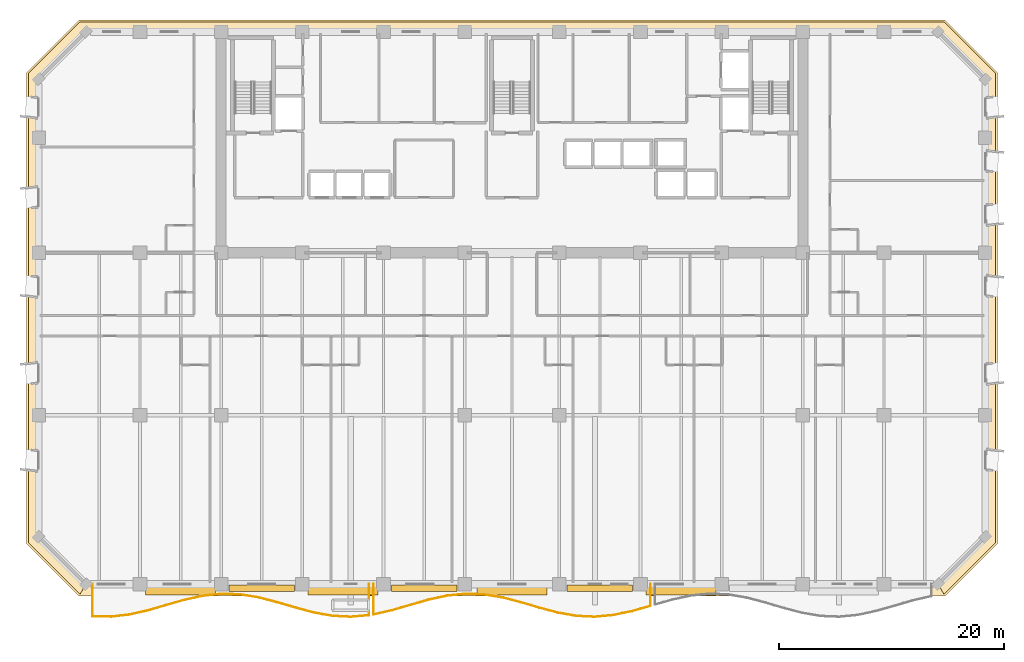
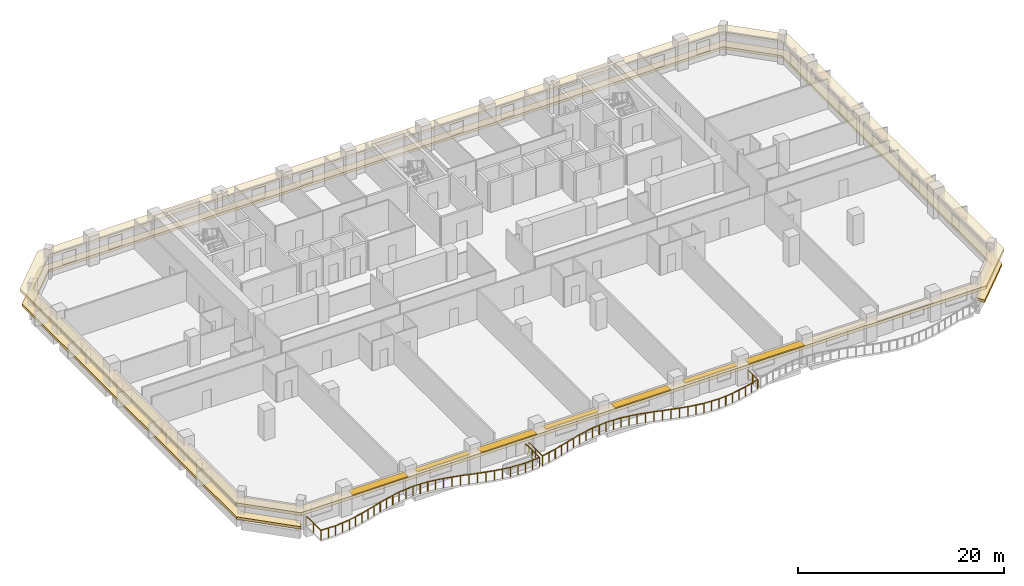
# One storey, part 12 of 15: 7 shading devices, 2 coverings, 2 railings.
"""IFC4 building model written with IfcOpenShell, lengths in metres."""

from ifc_helpers import new_model, si_unit, direction, frame, origin, origin_2d, place, context, subcontext, project, spatial, polyline, rectangle, outline, extrude, material, layer, layer_set, type_object, element, save


model = new_model("IFC4")

# Units and contexts
model_context = context("Model", 3, precision=1e-05, world=origin(), true_north=direction((0.0, 1.0)))
body_context = subcontext(model_context, "Body", "Model", "MODEL_VIEW")
ifc_project = project(units=[si_unit("LENGTHUNIT", "METRE"), si_unit("AREAUNIT", "SQUARE_METRE"), si_unit("VOLUMEUNIT", "CUBIC_METRE"), si_unit("PLANEANGLEUNIT", "RADIAN"), si_unit("MASSUNIT", "GRAM", prefix="KILO")], contexts=[model_context])

# Site, building, storey
site_placement = place(None, origin())
site = spatial("IfcSite", under=ifc_project, at=site_placement, CompositionType="ELEMENT")
building_placement = place(site_placement, origin())
building = spatial("IfcBuilding", under=site, at=building_placement, Name="Kaelvorn Grand Hotel", CompositionType="ELEMENT")
storey_placement = place(building_placement, frame((0.0, 0.0, 104.300048828125)))
storey = spatial("IfcBuildingStorey", under=building, at=storey_placement, Name="L24", CompositionType="ELEMENT", Elevation=104.300048828125)

# Coverings
ifc_material_1 = material(Name="Precast concrete C45/55", Category="concrete")
ifc_layer_1 = layer(ifc_material_1, 0.260009765625)
ifc_layer_set_1 = layer_set([ifc_layer_1], Name="Precast concrete C45/55")
covering_type_1 = type_object("IfcCoveringType", Name="COV-BAND-STREAMLINE-HEAD", PredefinedType="CLADDING", material=ifc_layer_set_1)
covering_1_placement = place(storey_placement, frame((0.0, 0.0, 2.179931640625)))
element("IfcCovering", 1, at=covering_1_placement, inside=storey, type_object=covering_type_1, Name="L24 Streamline Moderne Wraparound Horizontal Eyebrow Band", PredefinedType="CLADDING", context=body_context, shape_type="SweptSolid", body=[
    extrude(outline(polyline([(3.590087890625, -1.050048828125), (80.409912109375, -1.050048828125), (85.050048828125, 3.590087890625), (85.050048828125, 45.409912109375), (80.409912109375, 50.050048828125), (3.590087890625, 50.050048828125), (-1.050048828125, 45.409912109375), (-1.050048828125, 3.590087890625), (3.590087890625, -1.050048828125)]), holes=[polyline([(4.219970703125, 0.030029296875), (79.780029296875, 0.030029296875), (83.969970703125, 4.219970703125), (83.969970703125, 44.780029296875), (79.780029296875, 48.969970703125), (4.219970703125, 48.969970703125), (0.030029296875, 44.780029296875), (0.030029296875, 4.219970703125), (4.219970703125, 0.030029296875)])]), origin(), (0.0, 0.0, 1.0), 0.360107421875),
])
ifc_layer_2 = layer(ifc_material_1, 0.219970703125)
ifc_layer_set_2 = layer_set([ifc_layer_2], Name="Precast concrete C45/55")
covering_type_2 = type_object("IfcCoveringType", Name="COV-BAND-STREAMLINE-SILL", PredefinedType="CLADDING", material=ifc_layer_set_2)
covering_2_placement = place(storey_placement, frame((0.0, 0.0, 0.449951171875)))
element("IfcCovering", 2, at=covering_2_placement, inside=storey, type_object=covering_type_2, Name="L24 Streamline Moderne Wraparound Horizontal Sill Spandrel Band", PredefinedType="CLADDING", context=body_context, shape_type="SweptSolid", body=[
    extrude(outline(polyline([(80.3154296875, -0.8798828125), (84.8798828125, 3.6845703125), (84.8798828125, 45.3154296875), (80.3154296875, 49.8798828125), (3.6845703125, 49.8798828125), (-0.8798828125, 45.3154296875), (-0.8798828125, 3.6845703125), (3.6845703125, -0.8798828125), (4.217529296875, 0.030029296875), (0.030029296875, 4.217529296875), (0.030029296875, 44.782470703125), (4.217529296875, 48.969970703125), (79.782470703125, 48.969970703125), (83.969970703125, 44.782470703125), (83.969970703125, 4.217529296875), (79.782470703125, 0.030029296875), (80.3154296875, -0.8798828125)])), origin(), (0.0, 0.0, 1.0), 0.300048828125),
])

# Railings
ifc_material_2 = material(Name="Stainless Steel", Category="steel")
railing_type = type_object("IfcRailingType", Name="RL-BALC-1150", PredefinedType="BALUSTRADE", material=ifc_material_2)
railing_1_placement = place(storey_placement, frame((4.800048828125, 0.0, 0.0)))
element("IfcRailing", 3, at=railing_1_placement, inside=storey, type_object=railing_type, Name="L24 Scalloped Wave Balcony Balustrade GR1-1", PredefinedType="BALUSTRADE", context=body_context, shape_type="SweptSolid", body=[
    extrude(rectangle(XDim=0.048095703125, YDim=0.048095703125, at=origin_2d()), frame((0.0, 0.0, 1.1259765625), z_axis=(0.0, -1.0, 0.0), x_axis=(1.0, 0.0, 0.0)), (0.0, 0.0, 1.0), 2.849853515625),
    extrude(rectangle(XDim=0.048095703125, YDim=0.048095703125, at=origin_2d()), frame((0.0, -2.849853515625, 1.1259765625), z_axis=(0.999746055688, -0.022534953636, 0.0), x_axis=(0.022534953636, 0.999746055688, 0.0)), (0.0, 0.0, 1.0), 1.635986328125),
    extrude(rectangle(XDim=0.048095703125, YDim=0.048095703125, at=origin_2d()), frame((1.635498046875, -2.88671875, 1.1259765625), z_axis=(0.993458851833, 0.114190672624, 0.0), x_axis=(-0.114190672624, 0.993458851833, 0.0)), (0.0, 0.0, 1.0), 1.646240234375),
    extrude(rectangle(XDim=0.048095703125, YDim=0.048095703125, at=origin_2d()), frame((3.27099609375, -2.69873046875, 1.1259765625), z_axis=(0.975249967804, 0.221105179268, 0.0), x_axis=(-0.221105179268, 0.975249967804, 0.0)), (0.0, 0.0, 1.0), 1.67724609375),
    extrude(rectangle(XDim=0.048095703125, YDim=0.048095703125, at=origin_2d()), frame((4.90673828125, -2.327880859375, 1.1259765625), z_axis=(0.960877196389, 0.276974752385, 0.0), x_axis=(-0.276974752385, 0.960877196389, 0.0)), (0.0, 0.0, 1.0), 1.7021484375),
    extrude(rectangle(XDim=0.048095703125, YDim=0.048095703125, at=origin_2d()), frame((6.542236328125, -1.8564453125, 1.1259765625), z_axis=(0.961523947641, 0.274721127897, 0.0), x_axis=(-0.274721127897, 0.961523947641, 0.0)), (0.0, 0.0, 1.0), 1.700927734375),
    extrude(rectangle(XDim=0.048095703125, YDim=0.048095703125, at=origin_2d()), frame((8.177734375, -1.38916015625, 1.1259765625), z_axis=(0.976698893924, 0.21461423673, 0.0), x_axis=(-0.21461423673, 0.976698893924, 0.0)), (0.0, 0.0, 1.0), 1.674560546875),
    extrude(rectangle(XDim=0.048095703125, YDim=0.048095703125, at=origin_2d()), frame((9.813232421875, -1.02978515625, 1.1259765625), z_axis=(0.994538755279, 0.104367927297, 0.0), x_axis=(-0.104367927297, 0.994538755279, 0.0)), (0.0, 0.0, 1.0), 1.64453125),
    extrude(rectangle(XDim=0.048095703125, YDim=0.048095703125, at=origin_2d()), frame((11.44873046875, -0.858154296875, 1.1259765625), z_axis=(0.999451509735, -0.033116154502, 0.0), x_axis=(0.033116154502, 0.999451509735, 0.0)), (0.0, 0.0, 1.0), 1.63671875),
    extrude(rectangle(XDim=0.048095703125, YDim=0.048095703125, at=origin_2d()), frame((13.08447265625, -0.912353515625, 1.1259765625), z_axis=(0.986832291042, -0.161746806324, 0.0), x_axis=(0.161746806324, 0.986832291042, 0.0)), (0.0, 0.0, 1.0), 1.6572265625),
    extrude(rectangle(XDim=0.048095703125, YDim=0.048095703125, at=origin_2d()), frame((14.719970703125, -1.180419921875, 1.1259765625), z_axis=(0.96823444274, -0.25004412389, 0.0), x_axis=(0.25004412389, 0.96823444274, 0.0)), (0.0, 0.0, 1.0), 1.689208984375),
    extrude(rectangle(XDim=0.048095703125, YDim=0.048095703125, at=origin_2d()), frame((16.35546875, -1.602783203125, 1.1259765625), z_axis=(0.959105197492, -0.283049854522, 0.0), x_axis=(0.283049854522, 0.959105197492, 0.0)), (0.0, 0.0, 1.0), 1.705322265625),
    extrude(rectangle(XDim=0.048095703125, YDim=0.048095703125, at=origin_2d()), frame((17.990966796875, -2.08544921875, 1.1259765625), z_axis=(0.966258871987, -0.257572887368, 0.0), x_axis=(0.257572887368, 0.966258871987, 0.0)), (0.0, 0.0, 1.0), 1.69287109375),
    extrude(rectangle(XDim=0.048095703125, YDim=0.048095703125, at=origin_2d()), frame((19.626708984375, -2.521484375, 1.1259765625), z_axis=(0.984383042767, -0.176039839563, 0.0), x_axis=(0.176039839563, 0.984383042767, 0.0)), (0.0, 0.0, 1.0), 1.661376953125),
    extrude(rectangle(XDim=0.048095703125, YDim=0.048095703125, at=origin_2d()), frame((21.26220703125, -2.81396484375, 1.1259765625), z_axis=(0.998684141863, -0.05128337734, 0.0), x_axis=(0.05128337734, 0.998684141863, 0.0)), (0.0, 0.0, 1.0), 1.6376953125),
    extrude(rectangle(XDim=0.048095703125, YDim=0.048095703125, at=origin_2d()), frame((22.897705078125, -2.89794921875, 1.1259765625), z_axis=(0.996182895251, 0.087290544785, 0.0), x_axis=(-0.087290544785, 0.996182895251, 0.0)), (0.0, 0.0, 1.0), 1.641845703125),
    extrude(rectangle(XDim=0.048095703125, YDim=0.048095703125, at=origin_2d()), frame((24.533203125, -2.754638671875, 1.1259765625), z_axis=(0.0, 1.0, 0.0), x_axis=(-1.0, 0.0, 0.0)), (0.0, 0.0, 1.0), 2.754638671875),
    extrude(rectangle(XDim=0.0419921875, YDim=0.0419921875, at=origin_2d()), origin(), (0.0, 0.0, 1.0), 1.101806640625),
    extrude(rectangle(XDim=0.0419921875, YDim=0.0419921875, at=origin_2d()), frame((0.0, -1.4248046875, 0.0)), (0.0, 0.0, 1.0), 1.101806640625),
    extrude(rectangle(XDim=0.0419921875, YDim=0.0419921875, at=origin_2d()), frame((0.0, -2.849853515625, 0.0)), (0.0, 0.0, 1.0), 1.101806640625),
    extrude(rectangle(XDim=0.0419921875, YDim=0.0419921875, at=origin_2d()), frame((0.81787109375, -2.8681640625, 0.0)), (0.0, 0.0, 1.0), 1.101806640625),
    extrude(rectangle(XDim=0.0419921875, YDim=0.0419921875, at=origin_2d()), frame((1.635498046875, -2.88671875, 0.0)), (0.0, 0.0, 1.0), 1.101806640625),
    extrude(rectangle(XDim=0.0419921875, YDim=0.0419921875, at=origin_2d()), frame((2.453125, -2.792724609375, 0.0)), (0.0, 0.0, 1.0), 1.101806640625),
    extrude(rectangle(XDim=0.0419921875, YDim=0.0419921875, at=origin_2d()), frame((3.27099609375, -2.69873046875, 0.0)), (0.0, 0.0, 1.0), 1.101806640625),
    extrude(rectangle(XDim=0.0419921875, YDim=0.0419921875, at=origin_2d()), frame((4.0888671875, -2.51318359375, 0.0)), (0.0, 0.0, 1.0), 1.101806640625),
    extrude(rectangle(XDim=0.0419921875, YDim=0.0419921875, at=origin_2d()), frame((4.90673828125, -2.327880859375, 0.0)), (0.0, 0.0, 1.0), 1.101806640625),
    extrude(rectangle(XDim=0.0419921875, YDim=0.0419921875, at=origin_2d()), frame((5.724609375, -2.09228515625, 0.0)), (0.0, 0.0, 1.0), 1.101806640625),
    extrude(rectangle(XDim=0.0419921875, YDim=0.0419921875, at=origin_2d()), frame((6.542236328125, -1.8564453125, 0.0)), (0.0, 0.0, 1.0), 1.101806640625),
    extrude(rectangle(XDim=0.0419921875, YDim=0.0419921875, at=origin_2d()), frame((7.35986328125, -1.622802734375, 0.0)), (0.0, 0.0, 1.0), 1.101806640625),
    extrude(rectangle(XDim=0.0419921875, YDim=0.0419921875, at=origin_2d()), frame((8.177734375, -1.38916015625, 0.0)), (0.0, 0.0, 1.0), 1.101806640625),
    extrude(rectangle(XDim=0.0419921875, YDim=0.0419921875, at=origin_2d()), frame((8.99560546875, -1.20947265625, 0.0)), (0.0, 0.0, 1.0), 1.101806640625),
    extrude(rectangle(XDim=0.0419921875, YDim=0.0419921875, at=origin_2d()), frame((9.813232421875, -1.02978515625, 0.0)), (0.0, 0.0, 1.0), 1.101806640625),
    extrude(rectangle(XDim=0.0419921875, YDim=0.0419921875, at=origin_2d()), frame((10.630859375, -0.94384765625, 0.0)), (0.0, 0.0, 1.0), 1.101806640625),
    extrude(rectangle(XDim=0.0419921875, YDim=0.0419921875, at=origin_2d()), frame((11.44873046875, -0.858154296875, 0.0)), (0.0, 0.0, 1.0), 1.101806640625),
    extrude(rectangle(XDim=0.0419921875, YDim=0.0419921875, at=origin_2d()), frame((12.2666015625, -0.88525390625, 0.0)), (0.0, 0.0, 1.0), 1.101806640625),
    extrude(rectangle(XDim=0.0419921875, YDim=0.0419921875, at=origin_2d()), frame((13.08447265625, -0.912353515625, 0.0)), (0.0, 0.0, 1.0), 1.101806640625),
    extrude(rectangle(XDim=0.0419921875, YDim=0.0419921875, at=origin_2d()), frame((13.90234375, -1.04638671875, 0.0)), (0.0, 0.0, 1.0), 1.101806640625),
    extrude(rectangle(XDim=0.0419921875, YDim=0.0419921875, at=origin_2d()), frame((14.719970703125, -1.180419921875, 0.0)), (0.0, 0.0, 1.0), 1.101806640625),
    extrude(rectangle(XDim=0.0419921875, YDim=0.0419921875, at=origin_2d()), frame((15.53759765625, -1.3916015625, 0.0)), (0.0, 0.0, 1.0), 1.101806640625),
    extrude(rectangle(XDim=0.0419921875, YDim=0.0419921875, at=origin_2d()), frame((16.35546875, -1.602783203125, 0.0)), (0.0, 0.0, 1.0), 1.101806640625),
    extrude(rectangle(XDim=0.0419921875, YDim=0.0419921875, at=origin_2d()), frame((17.17333984375, -1.84423828125, 0.0)), (0.0, 0.0, 1.0), 1.101806640625),
    extrude(rectangle(XDim=0.0419921875, YDim=0.0419921875, at=origin_2d()), frame((17.990966796875, -2.08544921875, 0.0)), (0.0, 0.0, 1.0), 1.101806640625),
    extrude(rectangle(XDim=0.0419921875, YDim=0.0419921875, at=origin_2d()), frame((18.808837890625, -2.303466796875, 0.0)), (0.0, 0.0, 1.0), 1.101806640625),
    extrude(rectangle(XDim=0.0419921875, YDim=0.0419921875, at=origin_2d()), frame((19.626708984375, -2.521484375, 0.0)), (0.0, 0.0, 1.0), 1.101806640625),
    extrude(rectangle(XDim=0.0419921875, YDim=0.0419921875, at=origin_2d()), frame((20.4443359375, -2.667724609375, 0.0)), (0.0, 0.0, 1.0), 1.101806640625),
    extrude(rectangle(XDim=0.0419921875, YDim=0.0419921875, at=origin_2d()), frame((21.26220703125, -2.81396484375, 0.0)), (0.0, 0.0, 1.0), 1.101806640625),
    extrude(rectangle(XDim=0.0419921875, YDim=0.0419921875, at=origin_2d()), frame((22.080078125, -2.85595703125, 0.0)), (0.0, 0.0, 1.0), 1.101806640625),
    extrude(rectangle(XDim=0.0419921875, YDim=0.0419921875, at=origin_2d()), frame((22.897705078125, -2.89794921875, 0.0)), (0.0, 0.0, 1.0), 1.101806640625),
    extrude(rectangle(XDim=0.0419921875, YDim=0.0419921875, at=origin_2d()), frame((23.71533203125, -2.826171875, 0.0)), (0.0, 0.0, 1.0), 1.101806640625),
    extrude(rectangle(XDim=0.0419921875, YDim=0.0419921875, at=origin_2d()), frame((24.533203125, -2.754638671875, 0.0)), (0.0, 0.0, 1.0), 1.101806640625),
    extrude(rectangle(XDim=0.0419921875, YDim=0.0419921875, at=origin_2d()), frame((24.533203125, -1.37744140625, 0.0)), (0.0, 0.0, 1.0), 1.101806640625),
    extrude(rectangle(XDim=0.0419921875, YDim=0.0419921875, at=origin_2d()), frame((24.533203125, 0.0, 0.0)), (0.0, 0.0, 1.0), 1.101806640625),
])
railing_2_placement = place(storey_placement, frame((29.7333984375, 0.0, 0.0)))
element("IfcRailing", 4, at=railing_2_placement, inside=storey, type_object=railing_type, Name="L24 Scalloped Wave Balcony Balustrade GR1-2", PredefinedType="BALUSTRADE", context=body_context, shape_type="SweptSolid", body=[
    extrude(rectangle(XDim=0.048095703125, YDim=0.048095703125, at=origin_2d()), frame((0.0, 0.0, 1.1259765625), z_axis=(0.0, -1.0, 0.0), x_axis=(1.0, 0.0, 0.0)), (0.0, 0.0, 1.0), 2.6875),
    extrude(rectangle(XDim=0.048095703125, YDim=0.048095703125, at=origin_2d()), frame((0.0, -2.6875, 1.1259765625), z_axis=(0.974547877033, 0.22417947134, 0.0), x_axis=(-0.22417947134, 0.974547877033, 0.0)), (0.0, 0.0, 1.0), 1.67822265625),
    extrude(rectangle(XDim=0.048095703125, YDim=0.048095703125, at=origin_2d()), frame((1.635498046875, -2.311279296875, 1.1259765625), z_axis=(0.960571319089, 0.278033704689, 0.0), x_axis=(-0.278033704689, 0.960571319089, 0.0)), (0.0, 0.0, 1.0), 1.70263671875),
    extrude(rectangle(XDim=0.048095703125, YDim=0.048095703125, at=origin_2d()), frame((3.27099609375, -1.837890625, 1.1259765625), z_axis=(0.96186455439, 0.273526194374, 0.0), x_axis=(-0.273526194374, 0.96186455439, 0.0)), (0.0, 0.0, 1.0), 1.700439453125),
    extrude(rectangle(XDim=0.048095703125, YDim=0.048095703125, at=origin_2d()), frame((4.906494140625, -1.372802734375, 1.1259765625), z_axis=(0.977433707694, 0.211242389364, 0.0), x_axis=(-0.211242389364, 0.977433707694, 0.0)), (0.0, 0.0, 1.0), 1.673583984375),
    extrude(rectangle(XDim=0.048095703125, YDim=0.048095703125, at=origin_2d()), frame((6.542236328125, -1.019287109375, 1.1259765625), z_axis=(0.995050417391, 0.099371358297, 0.0), x_axis=(-0.099371358297, 0.995050417391, 0.0)), (0.0, 0.0, 1.0), 1.6435546875),
    extrude(rectangle(XDim=0.048095703125, YDim=0.048095703125, at=origin_2d()), frame((8.177734375, -0.85595703125, 1.1259765625), z_axis=(0.999264915568, -0.038335734184, 0.0), x_axis=(0.038335734184, 0.999264915568, 0.0)), (0.0, 0.0, 1.0), 1.63671875),
    extrude(rectangle(XDim=0.048095703125, YDim=0.048095703125, at=origin_2d()), frame((9.813232421875, -0.918701171875, 1.1259765625), z_axis=(0.986118033534, -0.166045848907, 0.0), x_axis=(0.166045848907, 0.986118033534, 0.0)), (0.0, 0.0, 1.0), 1.658447265625),
    extrude(rectangle(XDim=0.048095703125, YDim=0.048095703125, at=origin_2d()), frame((11.44873046875, -1.194091796875, 1.1259765625), z_axis=(0.967646406536, -0.252310189883, 0.0), x_axis=(0.252310189883, 0.967646406536, 0.0)), (0.0, 0.0, 1.0), 1.6904296875),
    extrude(rectangle(XDim=0.048095703125, YDim=0.048095703125, at=origin_2d()), frame((13.08447265625, -1.62060546875, 1.1259765625), z_axis=(0.959027432838, -0.2833132243, 0.0), x_axis=(0.2833132243, 0.959027432838, 0.0)), (0.0, 0.0, 1.0), 1.705322265625),
    extrude(rectangle(XDim=0.048095703125, YDim=0.048095703125, at=origin_2d()), frame((14.719970703125, -2.103759765625, 1.1259765625), z_axis=(0.966821682926, -0.255452213581, 0.0), x_axis=(0.255452213581, 0.966821682926, 0.0)), (0.0, 0.0, 1.0), 1.691650390625),
    extrude(rectangle(XDim=0.048095703125, YDim=0.048095703125, at=origin_2d()), frame((16.35546875, -2.535888671875, 1.1259765625), z_axis=(0.985113377214, -0.171905887142, 0.0), x_axis=(0.171905887142, 0.985113377214, 0.0)), (0.0, 0.0, 1.0), 1.66015625),
    extrude(rectangle(XDim=0.048095703125, YDim=0.048095703125, at=origin_2d()), frame((17.990966796875, -2.8212890625, 1.1259765625), z_axis=(0.998945044437, -0.045921652789, 0.0), x_axis=(0.045921652789, 0.998945044437, 0.0)), (0.0, 0.0, 1.0), 1.637451171875),
    extrude(rectangle(XDim=0.048095703125, YDim=0.048095703125, at=origin_2d()), frame((19.626708984375, -2.896484375, 1.1259765625), z_axis=(0.995730813029, 0.092304647692, 0.0), x_axis=(-0.092304647692, 0.995730813029, 0.0)), (0.0, 0.0, 1.0), 1.642578125),
    extrude(rectangle(XDim=0.048095703125, YDim=0.048095703125, at=origin_2d()), frame((21.26220703125, -2.744873046875, 1.1259765625), z_axis=(0.978500163728, 0.206246041377, 0.0), x_axis=(-0.206246041377, 0.978500163728, 0.0)), (0.0, 0.0, 1.0), 1.67138671875),
    extrude(rectangle(XDim=0.048095703125, YDim=0.048095703125, at=origin_2d()), frame((22.897705078125, -2.400146484375, 1.1259765625), z_axis=(0.962391909426, 0.27166489039, 0.0), x_axis=(-0.27166489039, 0.962391909426, 0.0)), (0.0, 0.0, 1.0), 1.699462890625),
    extrude(rectangle(XDim=0.048095703125, YDim=0.048095703125, at=origin_2d()), frame((24.533203125, -1.9384765625, 1.1259765625), z_axis=(0.0, 1.0, 0.0), x_axis=(-1.0, 0.0, 0.0)), (0.0, 0.0, 1.0), 1.9384765625),
    extrude(rectangle(XDim=0.0419921875, YDim=0.0419921875, at=origin_2d()), origin(), (0.0, 0.0, 1.0), 1.101806640625),
    extrude(rectangle(XDim=0.0419921875, YDim=0.0419921875, at=origin_2d()), frame((0.0, -1.34375, 0.0)), (0.0, 0.0, 1.0), 1.101806640625),
    extrude(rectangle(XDim=0.0419921875, YDim=0.0419921875, at=origin_2d()), frame((0.0, -2.6875, 0.0)), (0.0, 0.0, 1.0), 1.101806640625),
    extrude(rectangle(XDim=0.0419921875, YDim=0.0419921875, at=origin_2d()), frame((0.81787109375, -2.49951171875, 0.0)), (0.0, 0.0, 1.0), 1.101806640625),
    extrude(rectangle(XDim=0.0419921875, YDim=0.0419921875, at=origin_2d()), frame((1.635498046875, -2.311279296875, 0.0)), (0.0, 0.0, 1.0), 1.101806640625),
    extrude(rectangle(XDim=0.0419921875, YDim=0.0419921875, at=origin_2d()), frame((2.453125, -2.07470703125, 0.0)), (0.0, 0.0, 1.0), 1.101806640625),
    extrude(rectangle(XDim=0.0419921875, YDim=0.0419921875, at=origin_2d()), frame((3.27099609375, -1.837890625, 0.0)), (0.0, 0.0, 1.0), 1.101806640625),
    extrude(rectangle(XDim=0.0419921875, YDim=0.0419921875, at=origin_2d()), frame((4.0888671875, -1.60546875, 0.0)), (0.0, 0.0, 1.0), 1.101806640625),
    extrude(rectangle(XDim=0.0419921875, YDim=0.0419921875, at=origin_2d()), frame((4.906494140625, -1.372802734375, 0.0)), (0.0, 0.0, 1.0), 1.101806640625),
    extrude(rectangle(XDim=0.0419921875, YDim=0.0419921875, at=origin_2d()), frame((5.724365234375, -1.196044921875, 0.0)), (0.0, 0.0, 1.0), 1.101806640625),
    extrude(rectangle(XDim=0.0419921875, YDim=0.0419921875, at=origin_2d()), frame((6.542236328125, -1.019287109375, 0.0)), (0.0, 0.0, 1.0), 1.101806640625),
    extrude(rectangle(XDim=0.0419921875, YDim=0.0419921875, at=origin_2d()), frame((7.35986328125, -0.9375, 0.0)), (0.0, 0.0, 1.0), 1.101806640625),
    extrude(rectangle(XDim=0.0419921875, YDim=0.0419921875, at=origin_2d()), frame((8.177734375, -0.85595703125, 0.0)), (0.0, 0.0, 1.0), 1.101806640625),
    extrude(rectangle(XDim=0.0419921875, YDim=0.0419921875, at=origin_2d()), frame((8.99560546875, -0.88720703125, 0.0)), (0.0, 0.0, 1.0), 1.101806640625),
    extrude(rectangle(XDim=0.0419921875, YDim=0.0419921875, at=origin_2d()), frame((9.813232421875, -0.918701171875, 0.0)), (0.0, 0.0, 1.0), 1.101806640625),
    extrude(rectangle(XDim=0.0419921875, YDim=0.0419921875, at=origin_2d()), frame((10.630859375, -1.056396484375, 0.0)), (0.0, 0.0, 1.0), 1.101806640625),
    extrude(rectangle(XDim=0.0419921875, YDim=0.0419921875, at=origin_2d()), frame((11.44873046875, -1.194091796875, 0.0)), (0.0, 0.0, 1.0), 1.101806640625),
    extrude(rectangle(XDim=0.0419921875, YDim=0.0419921875, at=origin_2d()), frame((12.2666015625, -1.4072265625, 0.0)), (0.0, 0.0, 1.0), 1.101806640625),
    extrude(rectangle(XDim=0.0419921875, YDim=0.0419921875, at=origin_2d()), frame((13.08447265625, -1.62060546875, 0.0)), (0.0, 0.0, 1.0), 1.101806640625),
    extrude(rectangle(XDim=0.0419921875, YDim=0.0419921875, at=origin_2d()), frame((13.90234375, -1.8623046875, 0.0)), (0.0, 0.0, 1.0), 1.101806640625),
    extrude(rectangle(XDim=0.0419921875, YDim=0.0419921875, at=origin_2d()), frame((14.719970703125, -2.103759765625, 0.0)), (0.0, 0.0, 1.0), 1.101806640625),
    extrude(rectangle(XDim=0.0419921875, YDim=0.0419921875, at=origin_2d()), frame((15.53759765625, -2.31982421875, 0.0)), (0.0, 0.0, 1.0), 1.101806640625),
    extrude(rectangle(XDim=0.0419921875, YDim=0.0419921875, at=origin_2d()), frame((16.35546875, -2.535888671875, 0.0)), (0.0, 0.0, 1.0), 1.101806640625),
    extrude(rectangle(XDim=0.0419921875, YDim=0.0419921875, at=origin_2d()), frame((17.17333984375, -2.6787109375, 0.0)), (0.0, 0.0, 1.0), 1.101806640625),
    extrude(rectangle(XDim=0.0419921875, YDim=0.0419921875, at=origin_2d()), frame((17.990966796875, -2.8212890625, 0.0)), (0.0, 0.0, 1.0), 1.101806640625),
    extrude(rectangle(XDim=0.0419921875, YDim=0.0419921875, at=origin_2d()), frame((18.808837890625, -2.85888671875, 0.0)), (0.0, 0.0, 1.0), 1.101806640625),
    extrude(rectangle(XDim=0.0419921875, YDim=0.0419921875, at=origin_2d()), frame((19.626708984375, -2.896484375, 0.0)), (0.0, 0.0, 1.0), 1.101806640625),
    extrude(rectangle(XDim=0.0419921875, YDim=0.0419921875, at=origin_2d()), frame((20.4443359375, -2.82080078125, 0.0)), (0.0, 0.0, 1.0), 1.101806640625),
    extrude(rectangle(XDim=0.0419921875, YDim=0.0419921875, at=origin_2d()), frame((21.26220703125, -2.744873046875, 0.0)), (0.0, 0.0, 1.0), 1.101806640625),
    extrude(rectangle(XDim=0.0419921875, YDim=0.0419921875, at=origin_2d()), frame((22.080078125, -2.572509765625, 0.0)), (0.0, 0.0, 1.0), 1.101806640625),
    extrude(rectangle(XDim=0.0419921875, YDim=0.0419921875, at=origin_2d()), frame((22.897705078125, -2.400146484375, 0.0)), (0.0, 0.0, 1.0), 1.101806640625),
    extrude(rectangle(XDim=0.0419921875, YDim=0.0419921875, at=origin_2d()), frame((23.71533203125, -2.16943359375, 0.0)), (0.0, 0.0, 1.0), 1.101806640625),
    extrude(rectangle(XDim=0.0419921875, YDim=0.0419921875, at=origin_2d()), frame((24.533203125, -1.9384765625, 0.0)), (0.0, 0.0, 1.0), 1.101806640625),
    extrude(rectangle(XDim=0.0419921875, YDim=0.0419921875, at=origin_2d()), frame((24.533203125, -0.96923828125, 0.0)), (0.0, 0.0, 1.0), 1.101806640625),
    extrude(rectangle(XDim=0.0419921875, YDim=0.0419921875, at=origin_2d()), frame((24.533203125, 0.0, 0.0)), (0.0, 0.0, 1.0), 1.101806640625),
])

# Shading devices
ifc_layer_3 = layer(ifc_material_1, 0.1201171875)
ifc_layer_set_3 = layer_set([ifc_layer_3], Name="Precast concrete C45/55")
shading_device_type_1 = type_object("IfcShadingDeviceType", Name="SHD-SUNSHADE-550", PredefinedType="USERDEFINED", material=ifc_layer_set_3)
for number, where, z_axis, x_axis, name in (
    (5, (19.800048828125, -0.364990234375, 2.419921875), (0.0, 0.0, 1.0), (1.0, 0.0, 0.0), "L24 Horizontal Concrete Sunshade Band SS-03"),
    (6, (34.199951171875, -0.364990234375, 2.419921875), (0.0, 0.0, 1.0), (1.0, 0.0, 0.0), "L24 Horizontal Concrete Sunshade Band SS-05"),
    (7, (49.800048828125, -0.364990234375, 2.419921875), (0.0, 0.0, 1.0), (1.0, 0.0, 0.0), "L24 Horizontal Concrete Sunshade Band SS-07"),
):
    element("IfcShadingDevice", number, at=place(storey_placement, frame(where, z_axis=z_axis, x_axis=x_axis)), inside=storey, type_object=shading_device_type_1, Name=name, ObjectType="SUNSHADE", PredefinedType="USERDEFINED", context=body_context, shape_type="SweptSolid", body=[
        extrude(rectangle(XDim=5.800048828125, YDim=0.550048828125, at=origin_2d()), origin(), (0.0, 0.0, 1.0), 0.1201171875),
    ])
ifc_layer_4 = layer(ifc_material_1, 0.139892578125)
ifc_layer_set_4 = layer_set([ifc_layer_4], Name="Precast concrete C45/55")
shading_device_type_2 = type_object("IfcShadingDeviceType", Name="SHD-SUNSHADE-850", PredefinedType="USERDEFINED", material=ifc_layer_set_4)
for number, where, z_axis, x_axis, name in (
    (8, (12.60009765625, -0.514892578125, 2.41015625), (0.0, 0.0, 1.0), (1.0, 0.0, 0.0), "L24 Horizontal Concrete Sunshade Band SS-02"),
    (9, (27.0, -0.514892578125, 2.41015625), (0.0, 0.0, 1.0), (1.0, 0.0, 0.0), "L24 Horizontal Concrete Sunshade Band SS-04"),
    (10, (42.0, -0.514892578125, 2.41015625), (0.0, 0.0, 1.0), (1.0, 0.0, 0.0), "L24 Horizontal Concrete Sunshade Band SS-06"),
    (11, (57.0, -0.514892578125, 2.41015625), (0.0, 0.0, 1.0), (1.0, 0.0, 0.0), "L24 Horizontal Concrete Sunshade Band SS-08"),
):
    element("IfcShadingDevice", number, at=place(storey_placement, frame(where, z_axis=z_axis, x_axis=x_axis)), inside=storey, type_object=shading_device_type_2, Name=name, ObjectType="SUNSHADE", PredefinedType="USERDEFINED", context=body_context, shape_type="SweptSolid", body=[
        extrude(rectangle(XDim=6.199951171875, YDim=0.85009765625, at=origin_2d()), origin(), (0.0, 0.0, 1.0), 0.139892578125),
    ])

save(model, "model.ifc")
